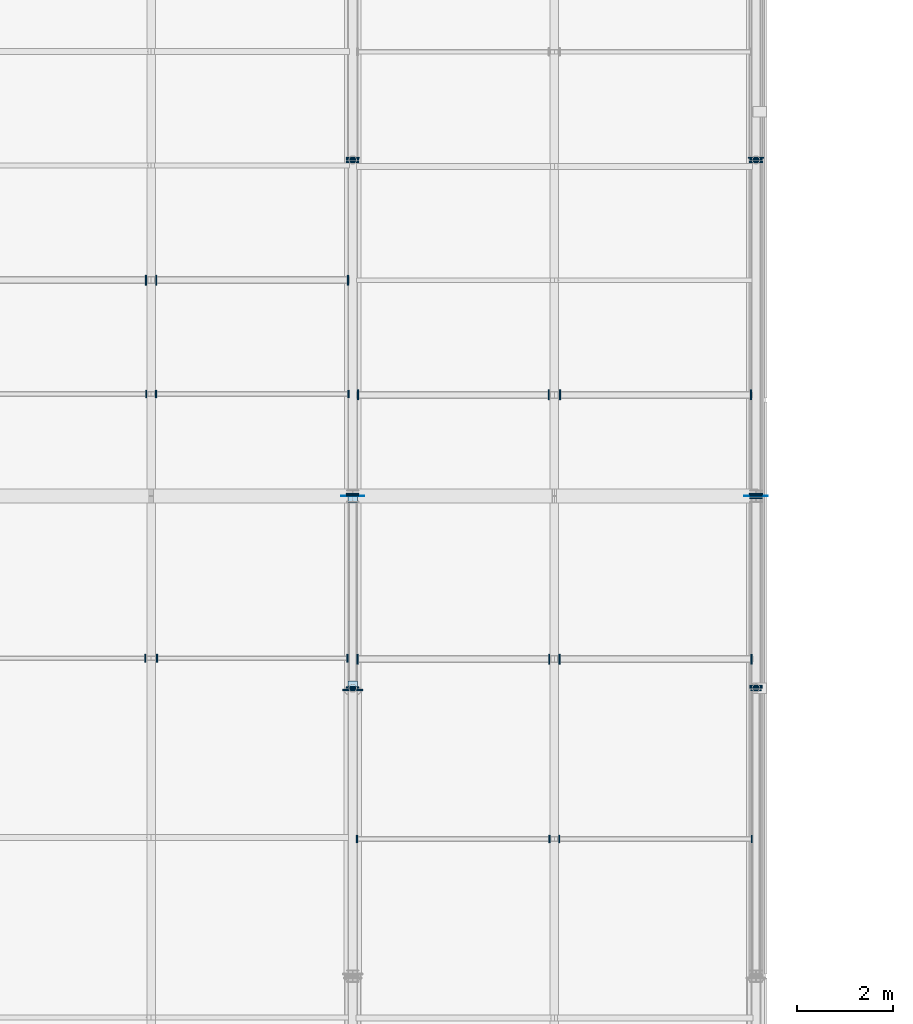
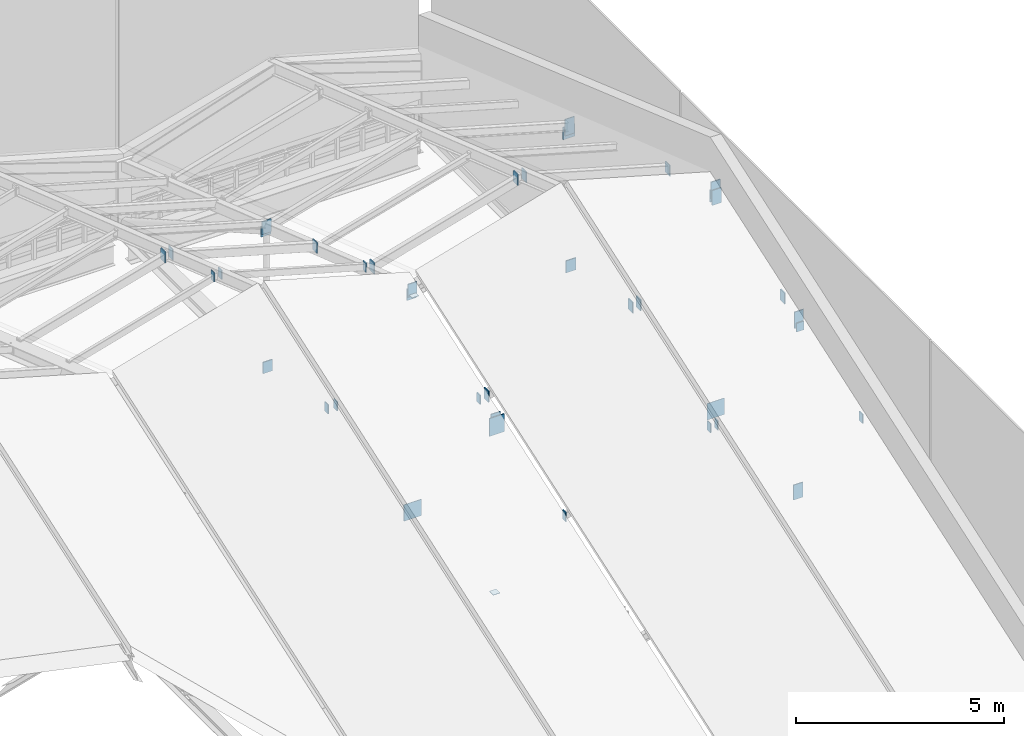
# One storey, part 66 of 77: 41 plates.
"""IFC4 building model written with IfcOpenShell, lengths in metres."""

from ifc_helpers import new_model, si_unit, direction, frame, origin, origin_2d, place, context, subcontext, project, spatial, rectangle, extrude, material, layer, layer_set, type_object, element, save


model = new_model("IFC4")

# Units and contexts
model_context = context("Model", 3, precision=1e-05, world=origin(), true_north=direction((0.0, 1.0)))
body_context = subcontext(model_context, "Body", "Model", "MODEL_VIEW")
ifc_project = project(units=[si_unit("LENGTHUNIT", "METRE"), si_unit("AREAUNIT", "SQUARE_METRE"), si_unit("VOLUMEUNIT", "CUBIC_METRE"), si_unit("PLANEANGLEUNIT", "RADIAN"), si_unit("MASSUNIT", "GRAM", prefix="KILO")], contexts=[model_context])

# Site, building, storey
site_placement = place(None, origin())
site = spatial("IfcSite", under=ifc_project, at=site_placement, CompositionType="ELEMENT")
building_placement = place(site_placement, origin())
building = spatial("IfcBuilding", under=site, at=building_placement, Name="Larkvane Passage Sports Hall", CompositionType="ELEMENT")
storey_placement = place(building_placement, frame((0.0, 0.0, 22.199951171875)))
storey = spatial("IfcBuildingStorey", under=building, at=storey_placement, Name="RF", CompositionType="ELEMENT", Elevation=22.199951171875)

# Plates
ifc_material_1 = material(Name="Steel S355JR", Category="steel")
ifc_layer_1 = layer(ifc_material_1, 0.011962890625)
ifc_layer_set_1 = layer_set([ifc_layer_1], Name="Steel S355JR")
plate_type_1 = type_object("IfcPlateType", Name="PLT-CAP-12", PredefinedType="SHEET", material=ifc_layer_set_1)
for number, where, z_axis, x_axis, name in (
    (1, (85.199951171875, 57.64697265625, 0.2041015625), (0.0, 0.0, 1.0), (1.0, 0.0, 0.0), "Hollow section sealed end cap plate 0332"),
    (2, (85.199951171875, 61.552978515625, 6.5390625), (0.0, 0.0, 1.0), (1.0, 0.0, 0.0), "Hollow section sealed end cap plate 0333"),
):
    element("IfcPlate", number, at=place(storey_placement, frame(where, z_axis=z_axis, x_axis=x_axis)), inside=storey, type_object=plate_type_1, Name=name, PredefinedType="SHEET", context=body_context, shape_type="SweptSolid", body=[
        extrude(rectangle(XDim=0.18994140625, YDim=0.18994140625, at=origin_2d()), origin(), (0.0, 0.0, 1.0), 0.011962890625),
    ])
for number, where, z_axis, x_axis, name in (
    (3, (85.199951171875, 61.6455078125, 6.378662109375), (0.0, 0.0, 1.0), (-1.0, 0.0, 0.0), "Hollow section sealed end cap plate 0335"),
    (4, (85.199951171875, 68.554443359375, 0.04541015625), (0.0, 0.0, 1.0), (-1.0, 0.0, 0.0), "Hollow section sealed end cap plate 0336"),
):
    element("IfcPlate", number, at=place(storey_placement, frame(where, z_axis=z_axis, x_axis=x_axis)), inside=storey, type_object=plate_type_1, Name=name, PredefinedType="SHEET", context=body_context, shape_type="SweptSolid", body=[
        extrude(rectangle(XDim=0.260009765625, YDim=0.028076171875, at=origin_2d()), origin(), (0.0, 0.0, 1.0), 0.3310546875),
    ])
plate_1_placement = place(storey_placement, frame((85.199951171875, 68.644775390625, 3.988525390625), z_axis=(0.0, 0.0, 1.0), x_axis=(-1.0, 0.0, 0.0)))
element("IfcPlate", 5, at=plate_1_placement, inside=storey, type_object=plate_type_1, Name="Hollow section sealed end cap plate 0338", PredefinedType="SHEET", context=body_context, shape_type="SweptSolid", body=[
    extrude(rectangle(XDim=0.27587890625, YDim=0.028076171875, at=origin_2d()), origin(), (0.0, 0.0, 1.0), 0.30908203125),
])
plate_2_placement = place(storey_placement, frame((93.60009765625, 57.5546875, 4.985107421875), z_axis=(0.0, 0.0, 1.0), x_axis=(-1.0, 0.0, 0.0)))
element("IfcPlate", 6, at=plate_2_placement, inside=storey, type_object=plate_type_1, Name="Hollow section sealed end cap plate 0350", PredefinedType="SHEET", context=body_context, shape_type="SweptSolid", body=[
    extrude(rectangle(XDim=0.2099609375, YDim=0.028076171875, at=origin_2d()), origin(), (0.0, 0.0, 1.0), 0.25390625),
])
for number, where, z_axis, x_axis, name in (
    (7, (93.60009765625, 57.646728515625, 0.015869140625), (0.0, 0.0, 1.0), (-1.0, 0.0, 0.0), "Hollow section sealed end cap plate 0352"),
    (8, (93.60009765625, 61.55322265625, 6.276123046875), (0.0, 0.0, 1.0), (-1.0, 0.0, 0.0), "Hollow section sealed end cap plate 0353"),
):
    element("IfcPlate", number, at=place(storey_placement, frame(where, z_axis=z_axis, x_axis=x_axis)), inside=storey, type_object=plate_type_1, Name=name, PredefinedType="SHEET", context=body_context, shape_type="SweptSolid", body=[
        extrude(rectangle(XDim=0.260009765625, YDim=0.028076171875, at=origin_2d()), origin(), (0.0, 0.0, 1.0), 0.43798828125),
    ])
for number, where, z_axis, x_axis, name in (
    (9, (93.60009765625, 61.6455078125, 6.318115234375), (0.0, 0.0, 1.0), (-1.0, 0.0, 0.0), "Hollow section sealed end cap plate 0355"),
    (10, (93.60009765625, 68.554443359375, 0.06005859375), (0.0, 0.0, 1.0), (-1.0, 0.0, 0.0), "Hollow section sealed end cap plate 0356"),
):
    element("IfcPlate", number, at=place(storey_placement, frame(where, z_axis=z_axis, x_axis=x_axis)), inside=storey, type_object=plate_type_1, Name=name, PredefinedType="SHEET", context=body_context, shape_type="SweptSolid", body=[
        extrude(rectangle(XDim=0.27587890625, YDim=0.028076171875, at=origin_2d()), origin(), (0.0, 0.0, 1.0), 0.35205078125),
    ])
plate_3_placement = place(storey_placement, frame((93.60009765625, 68.644775390625, 3.91015625), z_axis=(0.0, 0.0, 1.0), x_axis=(-1.0, 0.0, 0.0)))
element("IfcPlate", 11, at=plate_3_placement, inside=storey, type_object=plate_type_1, Name="Hollow section sealed end cap plate 0358", PredefinedType="SHEET", context=body_context, shape_type="SweptSolid", body=[
    extrude(rectangle(XDim=0.326904296875, YDim=0.028076171875, at=origin_2d()), origin(), (0.0, 0.0, 1.0), 0.365966796875),
])
for number, where, z_axis, x_axis, name in (
    (12, (81.121826171875, 58.22021484375, 6.6455078125), (0.0, 0.0, 1.0), (0.0, 1.0, 0.0), "Hollow section sealed end cap plate 0486"),
    (13, (80.878173828125, 58.22021484375, 6.6455078125), (0.0, 0.0, 1.0), (0.0, 1.0, 0.0), "Hollow section sealed end cap plate 0491"),
    (14, (85.08984375, 58.22021484375, 5.4423828125), (0.0, 0.0, 1.0), (0.0, 1.0, 0.0), "Hollow section sealed end cap plate 0492"),
    (15, (81.10107421875, 63.7255859375, 7.166259765625), (0.0, 0.0, 1.0), (0.0, 1.0, 0.0), "Hollow section sealed end cap plate 0494"),
):
    element("IfcPlate", number, at=place(storey_placement, frame(where, z_axis=z_axis, x_axis=x_axis)), inside=storey, type_object=plate_type_1, Name=name, PredefinedType="SHEET", context=body_context, shape_type="SweptSolid", body=[
        extrude(rectangle(XDim=0.159912109375, YDim=0.028076171875, at=origin_2d()), origin(), (0.0, 0.0, 1.0), 0.26806640625),
    ])
plate_4_placement = place(storey_placement, frame((81.107421875, 66.097900390625, 6.3017578125), z_axis=(0.0, 0.0, 1.0), x_axis=(0.0, 1.0, 0.0)))
element("IfcPlate", 16, at=plate_4_placement, inside=storey, type_object=plate_type_1, Name="Hollow section sealed end cap plate 0496", PredefinedType="SHEET", context=body_context, shape_type="SweptSolid", body=[
    extrude(rectangle(XDim=0.2099609375, YDim=0.028076171875, at=origin_2d()), origin(), (0.0, 0.0, 1.0), 0.320068359375),
])
for number, where, z_axis, x_axis, name in (
    (17, (80.89892578125, 63.7255859375, 7.166259765625), (0.0, 0.0, 1.0), (0.0, 1.0, 0.0), "Hollow section sealed end cap plate 0499"),
    (18, (85.110595703125, 63.7255859375, 5.963134765625), (0.0, 0.0, 1.0), (0.0, 1.0, 0.0), "Hollow section sealed end cap plate 0500"),
):
    element("IfcPlate", number, at=place(storey_placement, frame(where, z_axis=z_axis, x_axis=x_axis)), inside=storey, type_object=plate_type_1, Name=name, PredefinedType="SHEET", context=body_context, shape_type="SweptSolid", body=[
        extrude(rectangle(XDim=0.159912109375, YDim=0.028076171875, at=origin_2d()), origin(), (0.0, 0.0, 1.0), 0.26806640625),
    ])
for number, where, z_axis, x_axis, name in (
    (19, (80.892578125, 66.097900390625, 6.3017578125), (0.0, 0.0, 1.0), (0.0, 1.0, 0.0), "Hollow section sealed end cap plate 0501"),
    (20, (85.10400390625, 66.097900390625, 5.09814453125), (0.0, 0.0, 1.0), (0.0, 1.0, 0.0), "Hollow section sealed end cap plate 0502"),
):
    element("IfcPlate", number, at=place(storey_placement, frame(where, z_axis=z_axis, x_axis=x_axis)), inside=storey, type_object=plate_type_1, Name=name, PredefinedType="SHEET", context=body_context, shape_type="SweptSolid", body=[
        extrude(rectangle(XDim=0.2099609375, YDim=0.028076171875, at=origin_2d()), origin(), (0.0, 0.0, 1.0), 0.320068359375),
    ])
for number, where, z_axis, x_axis, name in (
    (21, (85.289306640625, 54.455078125, 4.223388671875), (0.0, 0.0, 1.0), (0.0, 1.0, 0.0), "Hollow section sealed end cap plate 0507"),
    (22, (89.5009765625, 54.455078125, 5.426513671875), (0.0, 0.0, 1.0), (0.0, 1.0, 0.0), "Hollow section sealed end cap plate 0508"),
):
    element("IfcPlate", number, at=place(storey_placement, frame(where, z_axis=z_axis, x_axis=x_axis)), inside=storey, type_object=plate_type_1, Name=name, PredefinedType="SHEET", context=body_context, shape_type="SweptSolid", body=[
        extrude(rectangle(XDim=0.159912109375, YDim=0.028076171875, at=origin_2d()), origin(), (0.0, 0.0, 1.0), 0.26806640625),
    ])
for number, where, z_axis, x_axis, name in (
    (23, (85.2958984375, 58.202880859375, 5.46630859375), (0.0, 0.0, 1.0), (0.0, 1.0, 0.0), "Hollow section sealed end cap plate 0509"),
    (24, (89.50732421875, 58.202880859375, 6.669921875), (0.0, 0.0, 1.0), (0.0, 1.0, 0.0), "Hollow section sealed end cap plate 0510"),
):
    element("IfcPlate", number, at=place(storey_placement, frame(where, z_axis=z_axis, x_axis=x_axis)), inside=storey, type_object=plate_type_1, Name=name, PredefinedType="SHEET", context=body_context, shape_type="SweptSolid", body=[
        extrude(rectangle(XDim=0.2099609375, YDim=0.028076171875, at=origin_2d()), origin(), (0.0, 0.0, 1.0), 0.320068359375),
    ])
for number, where, z_axis, x_axis, name in (
    (25, (89.299072265625, 54.455078125, 5.426513671875), (0.0, 0.0, 1.0), (0.0, 1.0, 0.0), "Hollow section sealed end cap plate 0513"),
    (26, (93.510498046875, 54.455078125, 4.223388671875), (0.0, 0.0, 1.0), (0.0, 1.0, 0.0), "Hollow section sealed end cap plate 0514"),
):
    element("IfcPlate", number, at=place(storey_placement, frame(where, z_axis=z_axis, x_axis=x_axis)), inside=storey, type_object=plate_type_1, Name=name, PredefinedType="SHEET", context=body_context, shape_type="SweptSolid", body=[
        extrude(rectangle(XDim=0.159912109375, YDim=0.028076171875, at=origin_2d()), origin(), (0.0, 0.0, 1.0), 0.26806640625),
    ])
for number, where, z_axis, x_axis, name in (
    (27, (89.29248046875, 58.202880859375, 6.669921875), (0.0, 0.0, 1.0), (0.0, 1.0, 0.0), "Hollow section sealed end cap plate 0515"),
    (28, (93.504150390625, 58.202880859375, 5.46630859375), (0.0, 0.0, 1.0), (0.0, 1.0, 0.0), "Hollow section sealed end cap plate 0516"),
    (29, (85.306396484375, 63.705322265625, 5.8779296875), (0.0, 0.0, 1.0), (0.0, 1.0, 0.0), "Hollow section sealed end cap plate 0517"),
    (30, (89.51806640625, 63.705322265625, 7.0810546875), (0.0, 0.0, 1.0), (0.0, 1.0, 0.0), "Hollow section sealed end cap plate 0518"),
    (31, (89.281982421875, 63.705322265625, 7.0810546875), (0.0, 0.0, 1.0), (0.0, 1.0, 0.0), "Hollow section sealed end cap plate 0523"),
    (32, (93.49365234375, 63.705322265625, 5.8779296875), (0.0, 0.0, 1.0), (0.0, 1.0, 0.0), "Hollow section sealed end cap plate 0524"),
):
    element("IfcPlate", number, at=place(storey_placement, frame(where, z_axis=z_axis, x_axis=x_axis)), inside=storey, type_object=plate_type_1, Name=name, PredefinedType="SHEET", context=body_context, shape_type="SweptSolid", body=[
        extrude(rectangle(XDim=0.2099609375, YDim=0.028076171875, at=origin_2d()), origin(), (0.0, 0.0, 1.0), 0.320068359375),
    ])
ifc_material_2 = material(Name="Steel S460N", Category="steel")
ifc_layer_2 = layer(ifc_material_2, 0.02001953125)
ifc_layer_set_2 = layer_set([ifc_layer_2], Name="Steel S460N")
plate_type_2 = type_object("IfcPlateType", Name="PLT-CAP-20", PredefinedType="SHEET", material=ifc_layer_set_2)
plate_5_placement = place(storey_placement, frame((85.199951171875, 57.609619140625, 5.113037109375), z_axis=(0.0, 0.0, 1.0), x_axis=(-1.0, 0.0, 0.0)))
element("IfcPlate", 33, at=plate_5_placement, inside=storey, type_object=plate_type_2, Name="Hollow section sealed end cap plate 0328", PredefinedType="SHEET", context=body_context, shape_type="SweptSolid", body=[
    extrude(rectangle(XDim=0.260009765625, YDim=0.028076171875, at=origin_2d()), origin(), (0.0, 0.0, 1.0), 0.376953125),
])
plate_6_placement = place(storey_placement, frame((85.199951171875, 57.5576171875, 4.902587890625), z_axis=(0.0, 0.0, 1.0), x_axis=(-1.0, 0.0, 0.0)))
element("IfcPlate", 34, at=plate_6_placement, inside=storey, type_object=plate_type_2, Name="Hollow section sealed end cap plate 0330", PredefinedType="SHEET", context=body_context, shape_type="SweptSolid", body=[
    extrude(rectangle(XDim=0.416015625, YDim=0.028076171875, at=origin_2d()), origin(), (0.0, 0.0, 1.0), 0.52392578125),
])
for number, where, z_axis, x_axis, name in (
    (35, (85.199951171875, 61.609619140625, 6.494873046875), (0.0, 0.0, 1.0), (-1.0, 0.0, 0.0), "Hollow section sealed end cap plate 0331"),
    (36, (85.199951171875, 68.609619140625, 4.08837890625), (0.0, 0.0, 1.0), (-1.0, 0.0, 0.0), "Hollow section sealed end cap plate 0334"),
):
    element("IfcPlate", number, at=place(storey_placement, frame(where, z_axis=z_axis, x_axis=x_axis)), inside=storey, type_object=plate_type_2, Name=name, PredefinedType="SHEET", context=body_context, shape_type="SweptSolid", body=[
        extrude(rectangle(XDim=0.260009765625, YDim=0.028076171875, at=origin_2d()), origin(), (0.0, 0.0, 1.0), 0.376953125),
    ])
for number, where, z_axis, x_axis, name in (
    (37, (93.60009765625, 57.609619140625, 5.06005859375), (0.0, 0.0, 1.0), (-1.0, 0.0, 0.0), "Hollow section sealed end cap plate 0348"),
    (38, (93.60009765625, 61.609619140625, 6.44189453125), (0.0, 0.0, 1.0), (-1.0, 0.0, 0.0), "Hollow section sealed end cap plate 0351"),
    (39, (93.60009765625, 68.609619140625, 4.035400390625), (0.0, 0.0, 1.0), (-1.0, 0.0, 0.0), "Hollow section sealed end cap plate 0354"),
):
    element("IfcPlate", number, at=place(storey_placement, frame(where, z_axis=z_axis, x_axis=x_axis)), inside=storey, type_object=plate_type_2, Name=name, PredefinedType="SHEET", context=body_context, shape_type="SweptSolid", body=[
        extrude(rectangle(XDim=0.260009765625, YDim=0.028076171875, at=origin_2d()), origin(), (0.0, 0.0, 1.0), 0.48291015625),
    ])
ifc_layer_3 = layer(ifc_material_2, 0.01611328125)
ifc_layer_set_3 = layer_set([ifc_layer_3], Name="Steel S460N")
plate_type_3 = type_object("IfcPlateType", Name="PLT-GUS-16", PredefinedType="USERDEFINED", material=ifc_layer_set_3)
for number, where, z_axis, x_axis, name in (
    (40, (85.199951171875, 61.60009765625, -0.02490234375), (0.0, 0.0, 1.0), (1.0, 0.0, 0.0), "Brace connection gusset plate 0340"),
    (41, (93.60009765625, 61.60009765625, 0.0), (0.0, 0.0, 1.0), (1.0, 0.0, 0.0), "Brace connection gusset plate 0360"),
):
    element("IfcPlate", number, at=place(storey_placement, frame(where, z_axis=z_axis, x_axis=x_axis)), inside=storey, type_object=plate_type_3, Name=name, ObjectType="GUSSET PLATE", PredefinedType="USERDEFINED", context=body_context, shape_type="SweptSolid", body=[
        extrude(rectangle(XDim=0.47998046875, YDim=0.01611328125, at=origin_2d()), origin(), (0.0, 0.0, 1.0), 0.47998046875),
    ])

save(model, "model.ifc")
